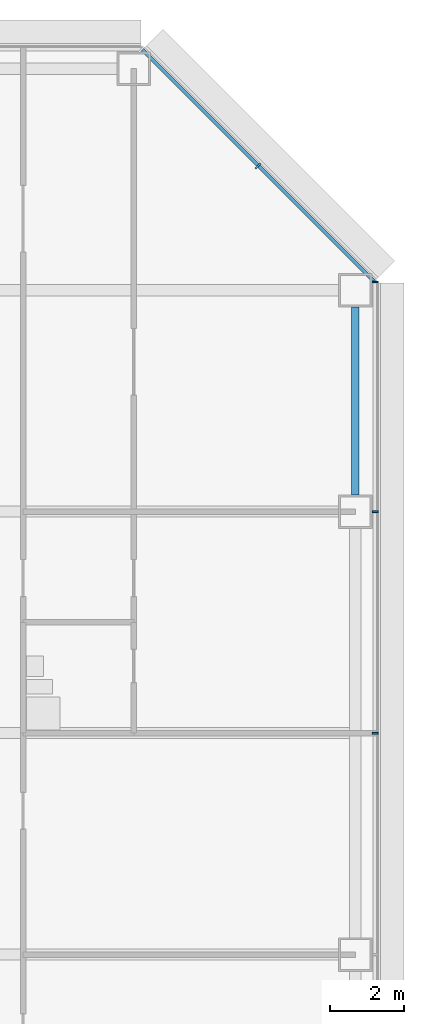
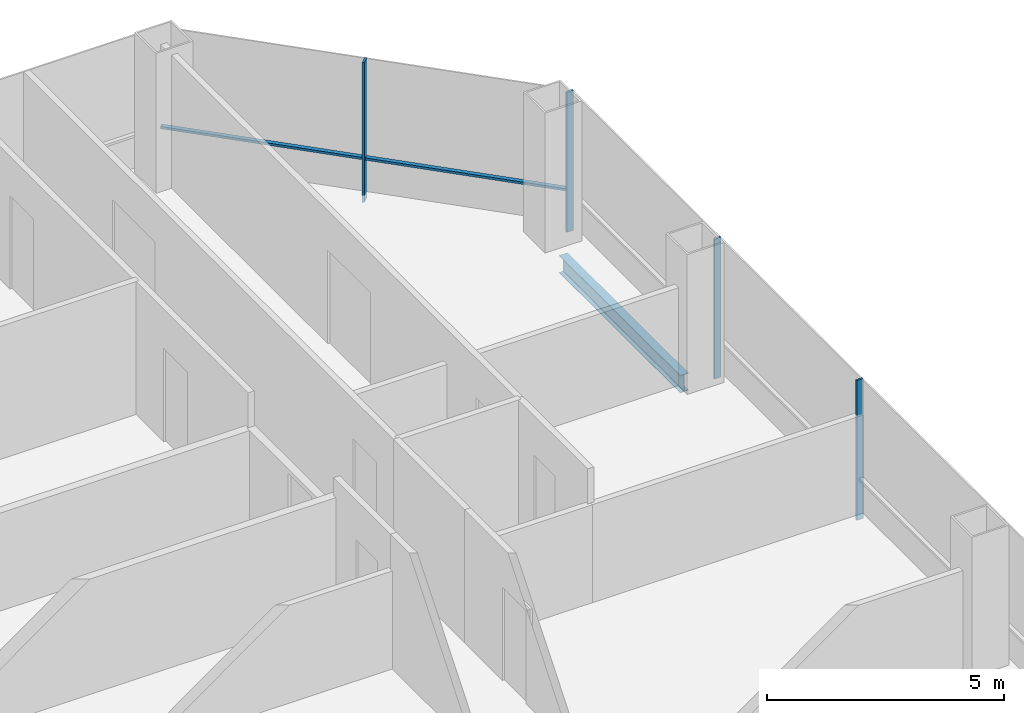
# One storey, part 18 of 27: 5 members, 1 beam, 2 elements without a shape of their own.
"""IFC4 building model written with IfcOpenShell, lengths in metres."""

from ifc_helpers import new_model, si_unit, direction, frame, origin, origin_2d, place, context, subcontext, project, spatial, rectangle, i_section, extrude, material, material_profile, profile_set, type_object, element, aggregate, save


model = new_model("IFC4")

# Units and contexts
model_context = context("Model", 3, precision=1e-05, world=origin(), true_north=direction((0.0, 1.0)))
body_context = subcontext(model_context, "Body", "Model", "MODEL_VIEW")
ifc_project = project(units=[si_unit("LENGTHUNIT", "METRE"), si_unit("AREAUNIT", "SQUARE_METRE"), si_unit("VOLUMEUNIT", "CUBIC_METRE"), si_unit("PLANEANGLEUNIT", "RADIAN"), si_unit("MASSUNIT", "GRAM", prefix="KILO")], contexts=[model_context])

# Site, building, storey
site_placement = place(None, origin())
site = spatial("IfcSite", under=ifc_project, at=site_placement, CompositionType="ELEMENT")
building_placement = place(site_placement, origin())
building = spatial("IfcBuilding", under=site, at=building_placement, Name="Sorahane Residences", CompositionType="ELEMENT")
storey_placement = place(building_placement, frame((0.0, 0.0, 78.60009765625)))
storey = spatial("IfcBuildingStorey", under=building, at=storey_placement, Name="L16", CompositionType="ELEMENT", Elevation=78.60009765625)

# Curtain wall, members
ifc_material_1 = material(Name="Dark low-e glass and black anodised aluminium", Category="aluminium")
curtain_wall_type_1 = type_object("IfcCurtainWallType", Name="Curtain wall CW-1 Typical unitised wall", PredefinedType="NOTDEFINED", material=ifc_material_1)
curtain_wall_1_placement = place(storey_placement, origin())
curtain_wall_1 = element("IfcCurtainWall", 1, at=curtain_wall_1_placement, inside=storey, type_object=curtain_wall_type_1, Name="CW-1 curtain wall L16 E1", PredefinedType="NOTDEFINED")
ifc_material_2 = material(Name="Black anodised aluminium", Category="aluminium")
ifc_material_profile_1 = material_profile(ifc_material_2, rectangle(XDim=0.159912109375, YDim=0.050048828125, at=origin_2d()), Name="Curtain wall mullion CW-1 black anodised aluminium 50x160")
ifc_profile_set_1 = profile_set([ifc_material_profile_1], Name="Black anodised aluminium")
member_type_1 = type_object("IfcMemberType", Name="Curtain wall mullion CW-1 black anodised aluminium 50x160", PredefinedType="MULLION", material=ifc_profile_set_1)
member_1_placement = place(storey_placement, frame((66.5400390625, 30.0, -0.18017578125), z_axis=(0.0, 0.0, 1.0), x_axis=(1.0, 0.0, 0.0)))
member_1 = element("IfcMember", 2, at=member_1_placement, type_object=member_type_1, Name="CW-1 mullion L16 E1.5", PredefinedType="MULLION", context=body_context, shape_type="SweptSolid", body=[
    extrude(rectangle(XDim=0.159912109375, YDim=0.050048828125, at=origin_2d()), origin(), (0.0, 0.0, 1.0), 3.60009765625),
])
member_2_placement = place(storey_placement, frame((66.5400390625, 36.0, -0.18017578125), z_axis=(0.0, 0.0, 1.0), x_axis=(1.0, 0.0, 0.0)))
member_2 = element("IfcMember", 3, at=member_2_placement, type_object=member_type_1, Name="CW-1 mullion L16 E1.6", PredefinedType="MULLION", context=body_context, shape_type="SweptSolid", body=[
    extrude(rectangle(XDim=0.159912109375, YDim=0.050048828125, at=origin_2d()), origin(), (0.0, 0.0, 1.0), 3.60009765625),
])
member_3_placement = place(storey_placement, frame((66.5400390625, 42.2236328125, -0.18017578125), z_axis=(0.0, 0.0, 1.0), x_axis=(1.0, 0.0, 0.0)))
member_3 = element("IfcMember", 4, at=member_3_placement, type_object=member_type_1, Name="CW-1 mullion L16 E1.7", PredefinedType="MULLION", context=body_context, shape_type="SweptSolid", body=[
    extrude(rectangle(XDim=0.159912109375, YDim=0.050048828125, at=origin_2d()), origin(), (0.0, 0.0, 1.0), 3.60009765625),
])
aggregate(curtain_wall_1, [member_1, member_2, member_3])

ifc_material_3 = material(Name="Dark low-e glass and black anodised aluminium", Category="aluminium")
curtain_wall_type_2 = type_object("IfcCurtainWallType", Name="Curtain wall CW-2 Chamfer unitised wall", PredefinedType="NOTDEFINED", material=ifc_material_3)
curtain_wall_2_placement = place(storey_placement, origin())
curtain_wall_2 = element("IfcCurtainWall", 5, at=curtain_wall_2_placement, inside=storey, type_object=curtain_wall_type_2, Name="CW-2 curtain wall L16 NE1", PredefinedType="NOTDEFINED")
ifc_material_4 = material(Name="Black anodised aluminium", Category="aluminium")
ifc_material_profile_2 = material_profile(ifc_material_4, rectangle(XDim=0.199951171875, YDim=0.050048828125, at=origin_2d()), Name="Curtain wall mullion CW-2 black anodised aluminium 50x200")
ifc_profile_set_2 = profile_set([ifc_material_profile_2], Name="Black anodised aluminium")
member_type_2 = type_object("IfcMemberType", Name="Curtain wall mullion CW-2 black anodised aluminium 50x200", PredefinedType="MULLION", material=ifc_profile_set_2)
member_4_placement = place(storey_placement, frame((63.36767578125, 45.36767578125, -0.18017578125), z_axis=(0.0, 0.0, 1.0), x_axis=(0.707106781187, 0.707106781187, 0.0)))
member_4 = element("IfcMember", 6, at=member_4_placement, type_object=member_type_2, Name="CW-2 mullion L16 NE1.2", PredefinedType="MULLION", context=body_context, shape_type="SweptSolid", body=[
    extrude(rectangle(XDim=0.199951171875, YDim=0.050048828125, at=origin_2d()), origin(), (0.0, 0.0, 1.0), 3.60009765625),
])
ifc_material_5 = material(Name="Black anodised aluminium", Category="aluminium")
ifc_material_profile_3 = material_profile(ifc_material_5, rectangle(XDim=0.10009765625, YDim=0.06005859375, at=origin_2d()), Name="Curtain wall transom CW-2 black anodised aluminium 60x100")
ifc_profile_set_3 = profile_set([ifc_material_profile_3], Name="Black anodised aluminium")
member_type_3 = type_object("IfcMemberType", Name="Curtain wall transom CW-2 black anodised aluminium 60x100", PredefinedType="USERDEFINED", material=ifc_profile_set_3)
member_5_placement = place(storey_placement, frame((66.51513671875, 42.234375, 0.89990234375), z_axis=(-0.707106781187, 0.707106781187, 0.0), x_axis=(-0.707106781187, -0.707106781187, 0.0)))
member_5 = element("IfcMember", 7, at=member_5_placement, type_object=member_type_3, Name="CW-2 transom L16 NE1", ObjectType="TRANSOM", PredefinedType="USERDEFINED", context=body_context, shape_type="SweptSolid", body=[
    extrude(rectangle(XDim=0.10009765625, YDim=0.06005859375, at=origin_2d()), origin(), (0.0, 0.0, 1.0), 8.88232421875),
])
aggregate(curtain_wall_2, [member_4, member_5])

# Beam
ifc_material_6 = material(Name="Steel Q355B", Category="steel")
ifc_material_profile_4 = material_profile(ifc_material_6, i_section(OverallWidth=0.199951171875, OverallDepth=0.449951171875, WebThickness=0.009033203125, FlangeThickness=0.013916015625, FilletRadius=0.02001953125, at=origin_2d()), Name="HN 450x200x9x14")
ifc_profile_set_4 = profile_set([ifc_material_profile_4], Name="Steel Q355B")
beam_type = type_object("IfcBeamType", Name="Steel floor beam HN 450x200x9x14 Q355B", PredefinedType="BEAM", material=ifc_profile_set_4)
beam_placement = place(storey_placement, frame((66.0, 36.449951171875, -0.405029296875), z_axis=(0.0, 1.0, 0.0), x_axis=(-1.0, 0.0, 0.0)))
element("IfcBeam", 8, at=beam_placement, inside=storey, type_object=beam_type, Name="Beam L16 060", PredefinedType="BEAM", context=body_context, shape_type="SweptSolid", body=[
    extrude(i_section(OverallWidth=0.199951171875, OverallDepth=0.449951171875, WebThickness=0.009033203125, FlangeThickness=0.013916015625, FilletRadius=0.02001953125, at=origin_2d()), origin(), (0.0, 0.0, 1.0), 5.10009765625),
])

save(model, "model.ifc")
